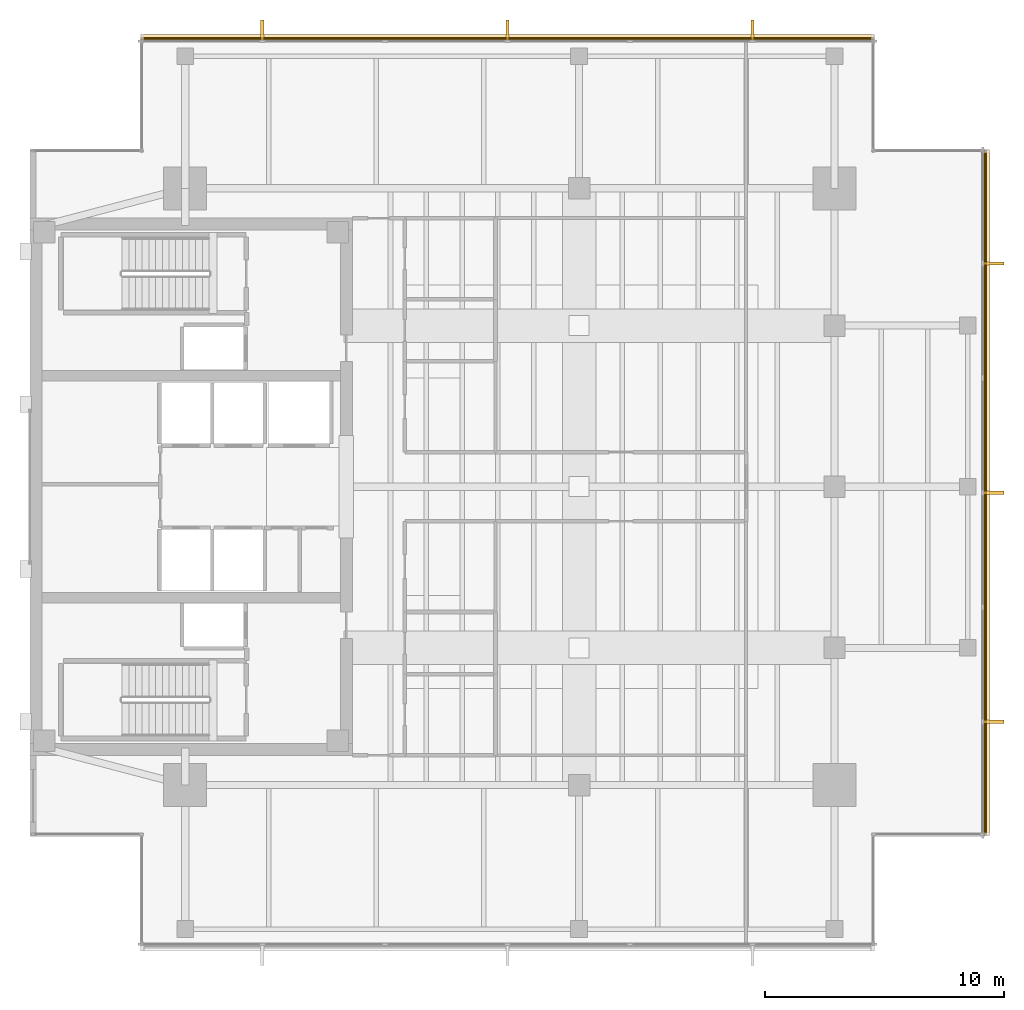
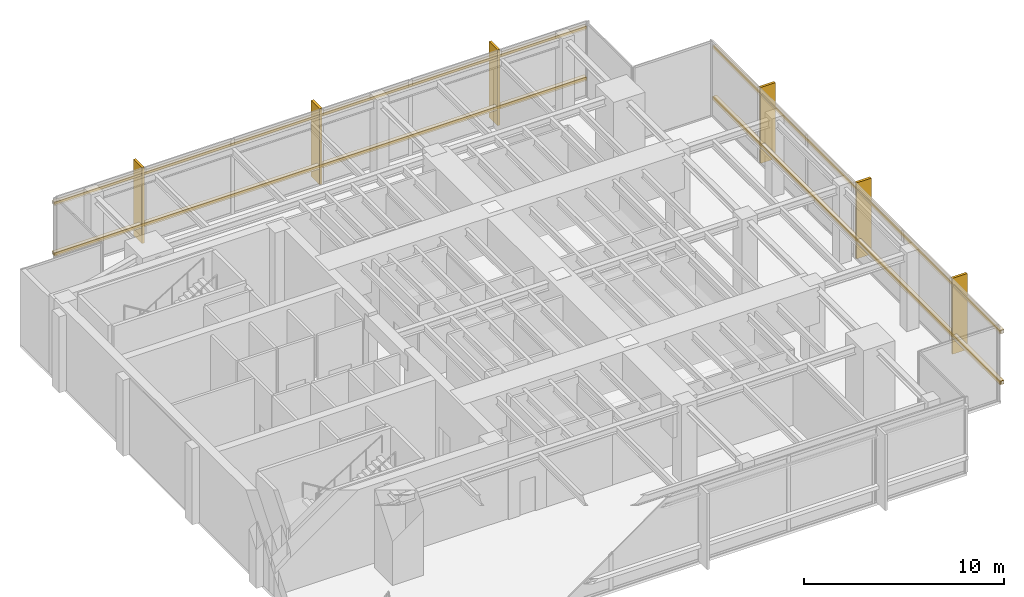
# One storey, part 14 of 14: 10 coverings, 4 shading devices.
"""IFC4 building model written with IfcOpenShell, lengths in metres."""

from ifc_helpers import new_model, si_unit, direction, frame, origin, origin_2d, place, context, subcontext, project, spatial, polyline, rectangle, outline, extrude, material, layer, layer_set, material_profile, profile_set, type_object, element, save


model = new_model("IFC4")

# Units and contexts
model_context = context("Model", 3, precision=1e-05, world=origin(), true_north=direction((0.0, 1.0)))
body_context = subcontext(model_context, "Body", "Model", "MODEL_VIEW")
ifc_project = project(units=[si_unit("LENGTHUNIT", "METRE"), si_unit("AREAUNIT", "SQUARE_METRE"), si_unit("VOLUMEUNIT", "CUBIC_METRE"), si_unit("PLANEANGLEUNIT", "RADIAN"), si_unit("MASSUNIT", "GRAM", prefix="KILO")], contexts=[model_context])

# Site, building, storey
site_placement = place(None, origin())
site = spatial("IfcSite", under=ifc_project, at=site_placement, CompositionType="ELEMENT")
building_placement = place(site_placement, origin())
building = spatial("IfcBuilding", under=site, at=building_placement, Name="Kinhvarn Gate Tower", CompositionType="ELEMENT")
storey_placement = place(building_placement, frame((0.0, 0.0, 291.85009765625)))
storey = spatial("IfcBuildingStorey", under=building, at=storey_placement, Name="L78", CompositionType="ELEMENT", Elevation=291.85009765625)

# Coverings
ifc_material = material(Name="Fired architectural terracotta", Category="masonry")
ifc_layer_1 = layer(ifc_material, 0.239990234375)
ifc_layer_set_1 = layer_set([ifc_layer_1], Name="Fired architectural terracotta")
covering_type_1 = type_object("IfcCoveringType", Name="COV-BAG-220", PredefinedType="CLADDING", material=ifc_layer_set_1)
covering_1_placement = place(storey_placement, frame((0.0, 0.0, 0.93994140625)))
element("IfcCovering", 1, at=covering_1_placement, inside=storey, type_object=covering_type_1, Name="Terracotta Horizontal Sunscreen Band TBG-220 (L78)", PredefinedType="CLADDING", context=body_context, shape_type="SweptSolid", body=[
    extrude(outline(polyline([(39.860107421875, 43.9599609375), (9.139892578125, 43.9599609375), (9.139892578125, 44.199951171875), (39.860107421875, 44.199951171875), (39.860107421875, 43.9599609375)])), origin(), (0.0, 0.0, 1.0), 0.219970703125),
])
covering_2_placement = place(storey_placement, frame((0.0, 0.0, 4.039794921875)))
element("IfcCovering", 2, at=covering_2_placement, inside=storey, type_object=covering_type_1, Name="Terracotta Horizontal Sunscreen Band TBG-220 (L78)", PredefinedType="CLADDING", context=body_context, shape_type="SweptSolid", body=[
    extrude(outline(polyline([(39.860107421875, 43.9599609375), (9.139892578125, 43.9599609375), (9.139892578125, 44.199951171875), (39.860107421875, 44.199951171875), (39.860107421875, 43.9599609375)])), origin(), (0.0, 0.0, 1.0), 0.22021484375),
])
covering_3_placement = place(storey_placement, frame((0.0, 0.0, 0.93994140625)))
element("IfcCovering", 3, at=covering_3_placement, inside=storey, type_object=covering_type_1, Name="Terracotta Horizontal Sunscreen Band TBG-220 (L78)", PredefinedType="CLADDING", context=body_context, shape_type="SweptSolid", body=[
    extrude(outline(polyline([(44.4599609375, 10.639892578125), (44.4599609375, 39.360107421875), (44.699951171875, 39.360107421875), (44.699951171875, 10.639892578125), (44.4599609375, 10.639892578125)])), origin(), (0.0, 0.0, 1.0), 0.219970703125),
])
covering_4_placement = place(storey_placement, frame((0.0, 0.0, 4.039794921875)))
element("IfcCovering", 4, at=covering_4_placement, inside=storey, type_object=covering_type_1, Name="Terracotta Horizontal Sunscreen Band TBG-220 (L78)", PredefinedType="CLADDING", context=body_context, shape_type="SweptSolid", body=[
    extrude(outline(polyline([(44.4599609375, 10.639892578125), (44.4599609375, 39.360107421875), (44.699951171875, 39.360107421875), (44.699951171875, 10.639892578125), (44.4599609375, 10.639892578125)])), origin(), (0.0, 0.0, 1.0), 0.22021484375),
])
ifc_layer_2 = layer(ifc_material, 0.139892578125)
ifc_layer_set_2 = layer_set([ifc_layer_2], Name="Fired architectural terracotta")
covering_type_2 = type_object("IfcCoveringType", Name="COV-FIN-850", PredefinedType="CLADDING", material=ifc_layer_set_2)
covering_5_placement = place(storey_placement, frame((0.0, 0.0, -0.02001953125)))
element("IfcCovering", 5, at=covering_5_placement, inside=storey, type_object=covering_type_2, Name="Vertical Terracotta Expressive Fin TFN-850 (L78)", PredefinedType="CLADDING", context=body_context, shape_type="SweptSolid", body=[
    extrude(outline(polyline([(34.836669921875, 43.949951171875), (34.69677734375, 43.949951171875), (34.69677734375, 44.800048828125), (34.836669921875, 44.800048828125), (34.836669921875, 43.949951171875)])), origin(), (0.0, 0.0, 1.0), 4.639892578125),
])
covering_6_placement = place(storey_placement, frame((0.0, 0.0, -0.02001953125)))
element("IfcCovering", 6, at=covering_6_placement, inside=storey, type_object=covering_type_2, Name="Vertical Terracotta Expressive Fin TFN-850 (L78)", PredefinedType="CLADDING", context=body_context, shape_type="SweptSolid", body=[
    extrude(outline(polyline([(24.570068359375, 43.949951171875), (24.429931640625, 43.949951171875), (24.429931640625, 44.800048828125), (24.570068359375, 44.800048828125), (24.570068359375, 43.949951171875)])), origin(), (0.0, 0.0, 1.0), 4.639892578125),
])
covering_7_placement = place(storey_placement, frame((0.0, 0.0, -0.02001953125)))
element("IfcCovering", 7, at=covering_7_placement, inside=storey, type_object=covering_type_2, Name="Vertical Terracotta Expressive Fin TFN-850 (L78)", PredefinedType="CLADDING", context=body_context, shape_type="SweptSolid", body=[
    extrude(outline(polyline([(14.30322265625, 43.949951171875), (14.163330078125, 43.949951171875), (14.163330078125, 44.800048828125), (14.30322265625, 44.800048828125), (14.30322265625, 43.949951171875)])), origin(), (0.0, 0.0, 1.0), 4.639892578125),
])
covering_8_placement = place(storey_placement, frame((0.0, 0.0, -0.02001953125)))
element("IfcCovering", 8, at=covering_8_placement, inside=storey, type_object=covering_type_2, Name="Vertical Terracotta Expressive Fin TFN-850 (L78)", PredefinedType="CLADDING", context=body_context, shape_type="SweptSolid", body=[
    extrude(outline(polyline([(44.449951171875, 15.330078125), (44.449951171875, 15.469970703125), (45.300048828125, 15.469970703125), (45.300048828125, 15.330078125), (44.449951171875, 15.330078125)])), origin(), (0.0, 0.0, 1.0), 4.639892578125),
])
covering_9_placement = place(storey_placement, frame((0.0, 0.0, -0.02001953125)))
element("IfcCovering", 9, at=covering_9_placement, inside=storey, type_object=covering_type_2, Name="Vertical Terracotta Expressive Fin TFN-850 (L78)", PredefinedType="CLADDING", context=body_context, shape_type="SweptSolid", body=[
    extrude(outline(polyline([(44.449951171875, 24.929931640625), (44.449951171875, 25.070068359375), (45.300048828125, 25.070068359375), (45.300048828125, 24.929931640625), (44.449951171875, 24.929931640625)])), origin(), (0.0, 0.0, 1.0), 4.639892578125),
])
covering_10_placement = place(storey_placement, frame((0.0, 0.0, -0.02001953125)))
element("IfcCovering", 10, at=covering_10_placement, inside=storey, type_object=covering_type_2, Name="Vertical Terracotta Expressive Fin TFN-850 (L78)", PredefinedType="CLADDING", context=body_context, shape_type="SweptSolid", body=[
    extrude(outline(polyline([(44.449951171875, 34.530029296875), (44.449951171875, 34.669921875), (45.300048828125, 34.669921875), (45.300048828125, 34.530029296875), (44.449951171875, 34.530029296875)])), origin(), (0.0, 0.0, 1.0), 4.639892578125),
])

# Shading devices
ifc_material_profile = material_profile(ifc_material, rectangle(XDim=0.06005859375, YDim=0.139892578125, at=origin_2d()), Name="TC 60x140")
ifc_profile_set = profile_set([ifc_material_profile], Name="Fired architectural terracotta")
shading_device_type = type_object("IfcShadingDeviceType", Name="SHD-BAG-180", PredefinedType="USERDEFINED", material=ifc_profile_set)
for number, where, z_axis, x_axis, name in (
    (11, (39.860107421875, 44.034912109375, 1.0498046875), (-1.0, 0.0, 0.0), (0.0, -1.0, 0.0), "Fired Terracotta Baguette Screen Rod 60x140 mm (L78)"),
    (12, (39.860107421875, 44.034912109375, 4.14990234375), (-1.0, 0.0, 0.0), (0.0, -1.0, 0.0), "Fired Terracotta Baguette Screen Rod 60x140 mm (L78)"),
):
    element("IfcShadingDevice", number, at=place(storey_placement, frame(where, z_axis=z_axis, x_axis=x_axis)), inside=storey, type_object=shading_device_type, Name=name, ObjectType="BAGUETTE", PredefinedType="USERDEFINED", context=body_context, shape_type="SweptSolid", body=[
        extrude(rectangle(XDim=0.06005859375, YDim=0.139892578125, at=origin_2d()), origin(), (0.0, 0.0, 1.0), 30.72021484375),
    ])
for number, where, z_axis, x_axis, name in (
    (13, (44.534912109375, 10.639892578125, 1.0498046875), (0.0, 1.0, 0.0), (-1.0, 0.0, 0.0), "Fired Terracotta Baguette Screen Rod 60x140 mm (L78)"),
    (14, (44.534912109375, 10.639892578125, 4.14990234375), (0.0, 1.0, 0.0), (-1.0, 0.0, 0.0), "Fired Terracotta Baguette Screen Rod 60x140 mm (L78)"),
):
    element("IfcShadingDevice", number, at=place(storey_placement, frame(where, z_axis=z_axis, x_axis=x_axis)), inside=storey, type_object=shading_device_type, Name=name, ObjectType="BAGUETTE", PredefinedType="USERDEFINED", context=body_context, shape_type="SweptSolid", body=[
        extrude(rectangle(XDim=0.06005859375, YDim=0.139892578125, at=origin_2d()), origin(), (0.0, 0.0, 1.0), 28.72021484375),
    ])

save(model, "model.ifc")
